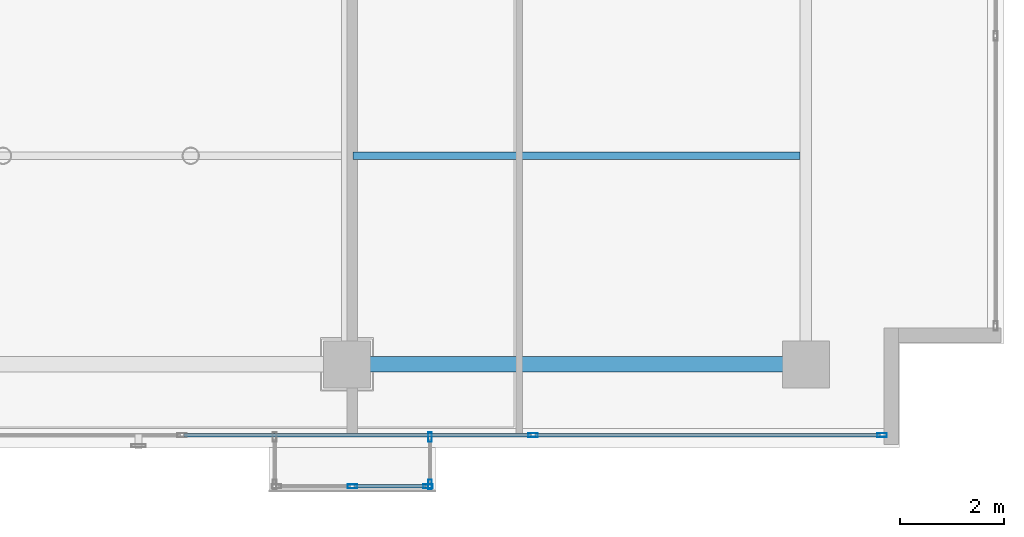
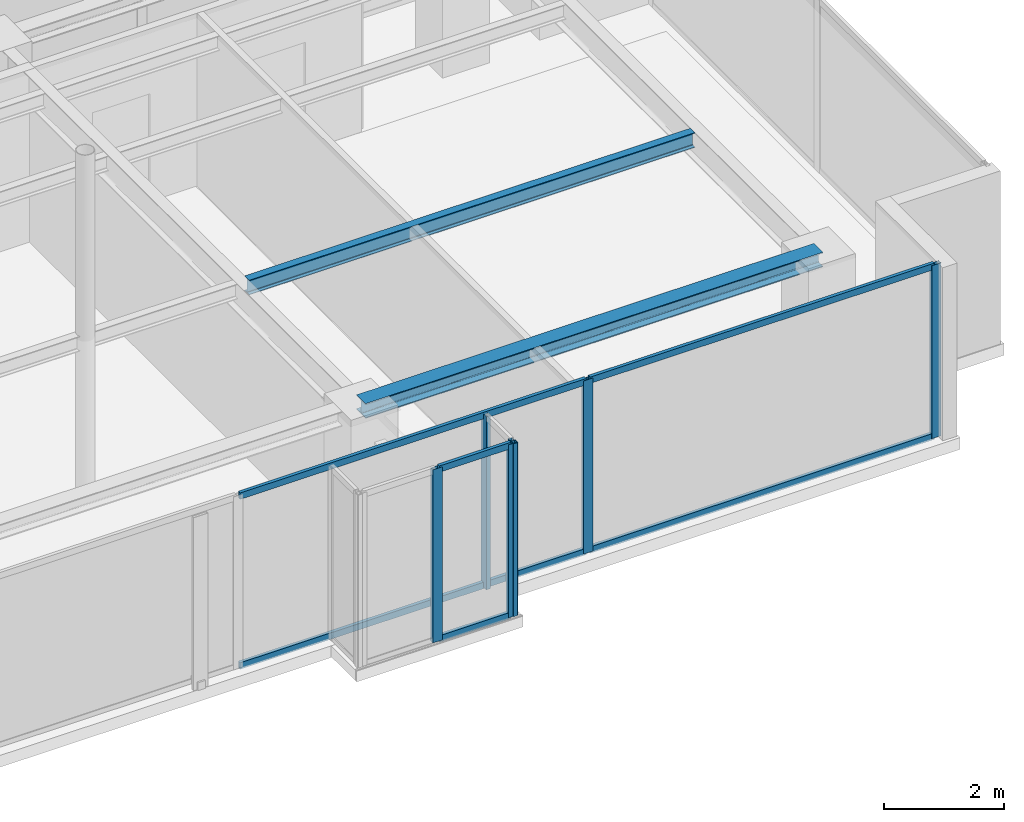
# One storey, part 15 of 32: 12 members, 2 beams, 3 elements without a shape of their own.
"""IFC4 building model written with IfcOpenShell, lengths in metres."""

from ifc_helpers import new_model, si_unit, direction, frame, origin, origin_with_axes, origin_2d, place, context, subcontext, project, spatial, hollow_rectangle, i_section, extrude, source, transform, mapped, material, layer, layer_set, material_profile, profile_set, type_object, element, aggregate, save


model = new_model("IFC4")

# Units and contexts
model_context = context("Model", 3, precision=1e-05, world=origin(), true_north=direction((0.0, 1.0)))
body_context = subcontext(model_context, "Body", "Model", "MODEL_VIEW")
ifc_project = project(units=[si_unit("LENGTHUNIT", "METRE"), si_unit("AREAUNIT", "SQUARE_METRE"), si_unit("VOLUMEUNIT", "CUBIC_METRE"), si_unit("PLANEANGLEUNIT", "RADIAN"), si_unit("MASSUNIT", "GRAM", prefix="KILO")], contexts=[model_context])

# Site, building, storey
site_placement = place(None, origin())
site = spatial("IfcSite", under=ifc_project, at=site_placement, CompositionType="ELEMENT")
building_placement = place(site_placement, origin())
building = spatial("IfcBuilding", under=site, at=building_placement, Name="Kolvaren Waterfront Exchange", CompositionType="ELEMENT")
storey_placement = place(building_placement, frame((0.0, 0.0, 348.10009765625)))
storey = spatial("IfcBuildingStorey", under=building, at=storey_placement, Name="L89", CompositionType="ELEMENT", Elevation=348.10009765625)

# Beams
ifc_material_1 = material(Name="Steel S355", Category="steel")
ifc_material_profile_1 = material_profile(ifc_material_1, i_section(OverallWidth=0.300048828125, OverallDepth=0.300048828125, WebThickness=0.010986328125, FlangeThickness=0.01904296875, FilletRadius=0.027099609375, at=origin_2d()), Name="HEB300")
ifc_profile_set_1 = profile_set([ifc_material_profile_1], Name="Steel S355")
beam_type_1 = type_object("IfcBeamType", Name="STR-BM-HEB300", PredefinedType="SPANDREL", material=ifc_profile_set_1)
beam_1_placement = place(storey_placement, frame((36.800048828125, 5.199951171875, 3.369873046875), z_axis=(1.0, 0.0, 0.0), x_axis=(0.0, 1.0, 0.0)))
element("IfcBeam", 1, at=beam_1_placement, inside=storey, type_object=beam_type_1, Name="L89 east-arm spandrel S3", PredefinedType="SPANDREL", context=body_context, shape_type="SweptSolid", body=[
    extrude(i_section(OverallWidth=0.300048828125, OverallDepth=0.300048828125, WebThickness=0.010986328125, FlangeThickness=0.01904296875, FilletRadius=0.027099609375, at=origin_2d()), origin(), (0.0, 0.0, 1.0), 8.800048828125),
])
ifc_material_profile_2 = material_profile(ifc_material_1, i_section(OverallWidth=0.14990234375, OverallDepth=0.300048828125, WebThickness=0.007080078125, FlangeThickness=0.0107421875, FilletRadius=0.014892578125, at=origin_2d()), Name="IPE300")
ifc_profile_set_2 = profile_set([ifc_material_profile_2], Name="Steel S355")
beam_type_2 = type_object("IfcBeamType", Name="STR-BM-IPE300", PredefinedType="JOIST", material=ifc_profile_set_2)
beam_2_placement = place(storey_placement, frame((36.912109375, 9.199951171875, 3.369873046875), z_axis=(1.0, 0.0, 0.0), x_axis=(0.0, 1.0, 0.0)))
element("IfcBeam", 2, at=beam_2_placement, inside=storey, type_object=beam_type_2, Name="L89 east-arm composite joist 3B", PredefinedType="JOIST", context=body_context, shape_type="SweptSolid", body=[
    extrude(i_section(OverallWidth=0.14990234375, OverallDepth=0.300048828125, WebThickness=0.007080078125, FlangeThickness=0.0107421875, FilletRadius=0.014892578125, at=origin_2d()), origin(), (0.0, 0.0, 1.0), 8.575927734375),
])

# Curtain wall, members
ifc_material_2 = material(Name="Anodised bronze aluminium 6063-T6", Category="aluminium")
ifc_layer_1 = layer(ifc_material_2, 0.219970703125, Name="Anodised bronze aluminium 6063-T6")
ifc_layer_set_1 = layer_set([ifc_layer_1], Name="Anodised bronze aluminium 6063-T6")
curtain_wall_type_1 = type_object("IfcCurtainWallType", Name="ARC-CW-SYS3", PredefinedType="USERDEFINED", material=ifc_layer_set_1)
curtain_wall_1_placement = place(storey_placement, origin())
curtain_wall_1 = element("IfcCurtainWall", 3, at=curtain_wall_1_placement, inside=storey, type_object=curtain_wall_type_1, Name="L89 stick curtain wall CW3 (CW-L89-BOX)", ObjectType="STICK CURTAIN WALL", PredefinedType="USERDEFINED")
ifc_material_profile_3 = material_profile(ifc_material_2, hollow_rectangle(XDim=0.06494140625, YDim=0.1298828125, WallThickness=0.00390625, at=origin_2d()), Name="ALU-TRN-130x65x4")
ifc_profile_set_3 = profile_set([ifc_material_profile_3], Name="Anodised bronze aluminium 6063-T6")
member_type_1 = type_object("IfcMemberType", Name="ARC-CWT-130", PredefinedType="USERDEFINED", material=ifc_profile_set_3)
shared_shape_1 = source(origin_with_axes(), body_context, "Body", "SweptSolid", [
    extrude(hollow_rectangle(XDim=0.06494140625, YDim=0.1298828125, WallThickness=0.00390625, at=origin_2d()), origin(), (0.0, 0.0, 1.0), 1.37744140625),
])
member_1_placement = place(storey_placement, frame((36.9375, 2.860107421875, 0.032470703125), z_axis=(1.0, 0.0, 0.0), x_axis=(0.0, 1.0, 0.0)))
member_1 = element("IfcMember", 4, at=member_1_placement, type_object=member_type_1, Name="CW3 transom 2.1", ObjectType="TRANSOM", PredefinedType="USERDEFINED", context=body_context, shape_type="MappedRepresentation", body=[
    mapped(shared_shape_1, transform((0.0, 0.0, 0.0), x_axis=(1.0, 0.0, 0.0), y_axis=(0.0, 1.0, 0.0), z_axis=(0.0, 0.0, 1.0), scale=1.0)),
])
member_2_placement = place(storey_placement, frame((36.9375, 2.860107421875, 3.4873046875), z_axis=(1.0, 0.0, 0.0), x_axis=(0.0, 1.0, 0.0)))
member_2 = element("IfcMember", 5, at=member_2_placement, type_object=member_type_1, Name="CW3 transom 2.2", ObjectType="TRANSOM", PredefinedType="USERDEFINED", context=body_context, shape_type="MappedRepresentation", body=[
    mapped(shared_shape_1, transform((0.0, 0.0, 0.0), x_axis=(1.0, 0.0, 0.0), y_axis=(0.0, 1.0, 0.0), z_axis=(0.0, 0.0, 1.0), scale=1.0)),
])

ifc_layer_2 = layer(ifc_material_2, 0.219970703125, Name="Anodised bronze aluminium 6063-T6")
ifc_layer_set_2 = layer_set([ifc_layer_2], Name="Anodised bronze aluminium 6063-T6")
curtain_wall_type_2 = type_object("IfcCurtainWallType", Name="ARC-CW-SYS5", PredefinedType="USERDEFINED", material=ifc_layer_set_2)
curtain_wall_2_placement = place(storey_placement, origin())
curtain_wall_2 = element("IfcCurtainWall", 6, at=curtain_wall_2_placement, inside=storey, type_object=curtain_wall_type_2, Name="L89 stick curtain wall CW5 (CW-L89-S)", ObjectType="STICK CURTAIN WALL", PredefinedType="USERDEFINED")
shared_shape_2 = source(origin_with_axes(), body_context, "Body", "SweptSolid", [
    extrude(hollow_rectangle(XDim=0.06494140625, YDim=0.1298828125, WallThickness=0.00390625, at=origin_2d()), origin(), (0.0, 0.0, 1.0), 6.620849609375),
])
member_3_placement = place(storey_placement, frame((40.404052734375, 3.840087890625, 0.032470703125), z_axis=(1.0, 0.0, 0.0), x_axis=(0.0, 1.0, 0.0)))
member_3 = element("IfcMember", 7, at=member_3_placement, type_object=member_type_1, Name="CW5 transom 6.1", ObjectType="TRANSOM", PredefinedType="USERDEFINED", context=body_context, shape_type="MappedRepresentation", body=[
    mapped(shared_shape_2, transform((0.0, 0.0, 0.0), x_axis=(1.0, 0.0, 0.0), y_axis=(0.0, 1.0, 0.0), z_axis=(0.0, 0.0, 1.0), scale=1.0)),
])
member_4_placement = place(storey_placement, frame((40.404052734375, 3.840087890625, 3.4873046875), z_axis=(1.0, 0.0, 0.0), x_axis=(0.0, 1.0, 0.0)))
member_4 = element("IfcMember", 8, at=member_4_placement, type_object=member_type_1, Name="CW5 transom 6.2", ObjectType="TRANSOM", PredefinedType="USERDEFINED", context=body_context, shape_type="MappedRepresentation", body=[
    mapped(shared_shape_2, transform((0.0, 0.0, 0.0), x_axis=(1.0, 0.0, 0.0), y_axis=(0.0, 1.0, 0.0), z_axis=(0.0, 0.0, 1.0), scale=1.0)),
])
shared_shape_3 = source(origin_with_axes(), body_context, "Body", "SweptSolid", [
    extrude(hollow_rectangle(XDim=0.06494140625, YDim=0.1298828125, WallThickness=0.00390625, at=origin_2d()), origin(), (0.0, 0.0, 1.0), 6.658203125),
])
member_5_placement = place(storey_placement, frame((33.6708984375, 3.840087890625, 0.032470703125), z_axis=(1.0, 0.0, 0.0), x_axis=(0.0, 1.0, 0.0)))
member_5 = element("IfcMember", 9, at=member_5_placement, type_object=member_type_1, Name="CW5 transom 5.1", ObjectType="TRANSOM", PredefinedType="USERDEFINED", context=body_context, shape_type="MappedRepresentation", body=[
    mapped(shared_shape_3, transform((0.0, 0.0, 0.0), x_axis=(1.0, 0.0, 0.0), y_axis=(0.0, 1.0, 0.0), z_axis=(0.0, 0.0, 1.0), scale=1.0)),
])
member_6_placement = place(storey_placement, frame((33.6708984375, 3.840087890625, 3.4873046875), z_axis=(1.0, 0.0, 0.0), x_axis=(0.0, 1.0, 0.0)))
member_6 = element("IfcMember", 10, at=member_6_placement, type_object=member_type_1, Name="CW5 transom 5.2", ObjectType="TRANSOM", PredefinedType="USERDEFINED", context=body_context, shape_type="MappedRepresentation", body=[
    mapped(shared_shape_3, transform((0.0, 0.0, 0.0), x_axis=(1.0, 0.0, 0.0), y_axis=(0.0, 1.0, 0.0), z_axis=(0.0, 0.0, 1.0), scale=1.0)),
])

# Member
ifc_material_profile_4 = material_profile(ifc_material_2, hollow_rectangle(XDim=0.074951171875, YDim=0.179931640625, WallThickness=0.00439453125, at=origin_2d()), Name="ALU-MUL-180x75x4.5")
ifc_profile_set_4 = profile_set([ifc_material_profile_4], Name="Anodised bronze aluminium 6063-T6")
member_type_2 = type_object("IfcMemberType", Name="ARC-CWM-180", PredefinedType="MULLION", material=ifc_profile_set_4)
shared_shape_4 = source(origin_with_axes(), body_context, "Body", "SweptSolid", [
    extrude(hollow_rectangle(XDim=0.074951171875, YDim=0.179931640625, WallThickness=0.00439453125, at=origin_2d()), origin(), (0.0, 0.0, 1.0), 3.52001953125),
])
member_7_placement = place(storey_placement, frame((36.89990234375, 2.860107421875, 0.0), z_axis=(0.0, 0.0, 1.0), x_axis=(0.0, 1.0, 0.0)))
member_7 = element("IfcMember", 11, at=member_7_placement, type_object=member_type_2, Name="CW3 mullion 2", PredefinedType="MULLION", context=body_context, shape_type="MappedRepresentation", body=[
    mapped(shared_shape_4, transform((0.0, 0.0, 0.0), x_axis=(1.0, 0.0, 0.0), y_axis=(0.0, 1.0, 0.0), z_axis=(0.0, 0.0, 1.0), scale=1.0)),
])

member_8_placement = place(storey_placement, frame((38.3525390625, 2.860107421875, 0.0), z_axis=(0.0, 0.0, 1.0), x_axis=(0.0, 1.0, 0.0)))
member_8 = element("IfcMember", 12, at=member_8_placement, type_object=member_type_2, Name="CW3 mullion 3", PredefinedType="MULLION", context=body_context, shape_type="MappedRepresentation", body=[
    mapped(shared_shape_4, transform((0.0, 0.0, 0.0), x_axis=(1.0, 0.0, 0.0), y_axis=(0.0, 1.0, 0.0), z_axis=(0.0, 0.0, 1.0), scale=1.0)),
])

aggregate(curtain_wall_1, [member_7, member_8, member_1, member_2])

# Curtain wall, members
curtain_wall_3_placement = place(storey_placement, origin())
curtain_wall_3 = element("IfcCurtainWall", 13, at=curtain_wall_3_placement, inside=storey, type_object=curtain_wall_type_1, Name="L89 stick curtain wall CW3 (CW-L89-BOX-E)", ObjectType="STICK CURTAIN WALL", PredefinedType="USERDEFINED")
member_9_placement = place(storey_placement, frame((38.389892578125, 2.8974609375, 0.0), z_axis=(0.0, 0.0, 1.0), x_axis=(-1.0, 0.0, 0.0)))
member_9 = element("IfcMember", 14, at=member_9_placement, type_object=member_type_2, Name="CW3 mullion 1", PredefinedType="MULLION", context=body_context, shape_type="MappedRepresentation", body=[
    mapped(shared_shape_4, transform((0.0, 0.0, 0.0), x_axis=(1.0, 0.0, 0.0), y_axis=(0.0, 1.0, 0.0), z_axis=(0.0, 0.0, 1.0), scale=1.0)),
])
member_10_placement = place(storey_placement, frame((38.389892578125, 3.802490234375, 0.0), z_axis=(0.0, 0.0, 1.0), x_axis=(-1.0, 0.0, 0.0)))
member_10 = element("IfcMember", 15, at=member_10_placement, type_object=member_type_2, Name="CW3 mullion 2", PredefinedType="MULLION", context=body_context, shape_type="MappedRepresentation", body=[
    mapped(shared_shape_4, transform((0.0, 0.0, 0.0), x_axis=(1.0, 0.0, 0.0), y_axis=(0.0, 1.0, 0.0), z_axis=(0.0, 0.0, 1.0), scale=1.0)),
])
aggregate(curtain_wall_3, [member_9, member_10])

# Member
member_11_placement = place(storey_placement, frame((40.36669921875, 3.840087890625, 0.0), z_axis=(0.0, 0.0, 1.0), x_axis=(0.0, 1.0, 0.0)))
member_11 = element("IfcMember", 16, at=member_11_placement, type_object=member_type_2, Name="CW5 mullion 6", PredefinedType="MULLION", context=body_context, shape_type="MappedRepresentation", body=[
    mapped(shared_shape_4, transform((0.0, 0.0, 0.0), x_axis=(1.0, 0.0, 0.0), y_axis=(0.0, 1.0, 0.0), z_axis=(0.0, 0.0, 1.0), scale=1.0)),
])

member_12_placement = place(storey_placement, frame((47.0625, 3.840087890625, 0.0), z_axis=(0.0, 0.0, 1.0), x_axis=(0.0, 1.0, 0.0)))
member_12 = element("IfcMember", 17, at=member_12_placement, type_object=member_type_2, Name="CW5 mullion 7", PredefinedType="MULLION", context=body_context, shape_type="MappedRepresentation", body=[
    mapped(shared_shape_4, transform((0.0, 0.0, 0.0), x_axis=(1.0, 0.0, 0.0), y_axis=(0.0, 1.0, 0.0), z_axis=(0.0, 0.0, 1.0), scale=1.0)),
])

aggregate(curtain_wall_2, [member_11, member_12, member_5, member_6, member_3, member_4])

save(model, "model.ifc")
